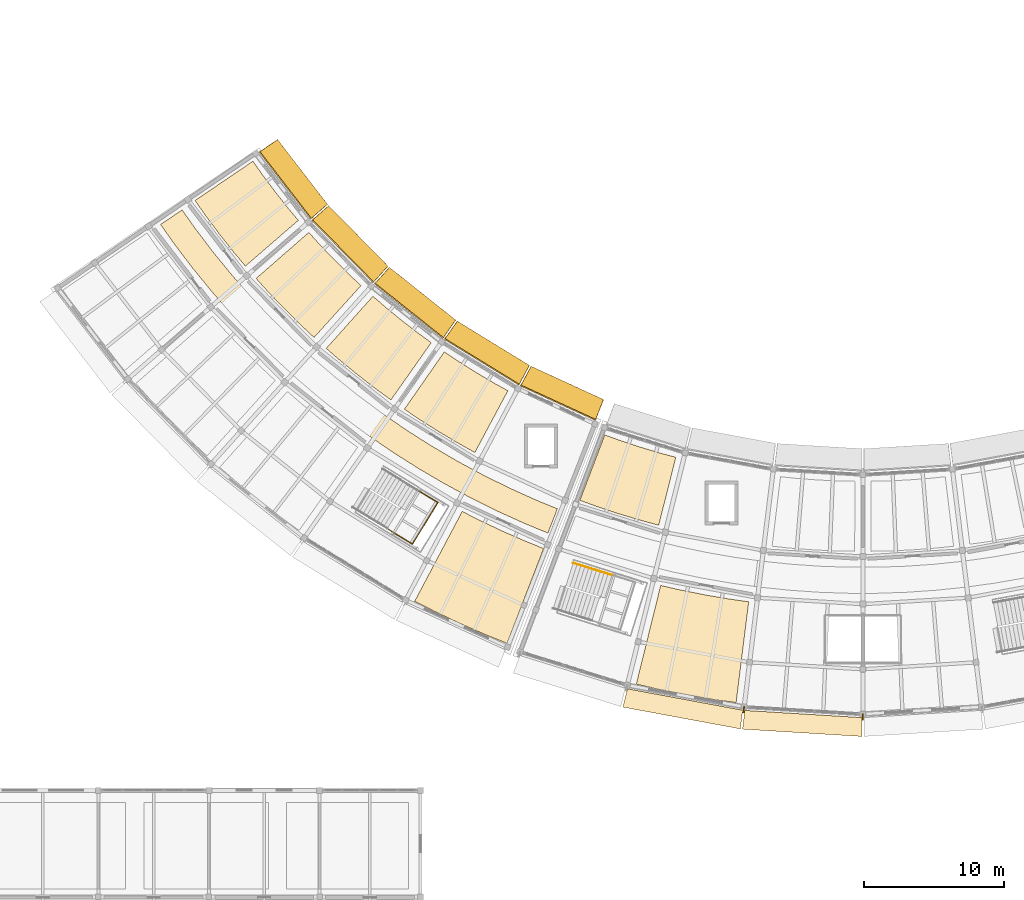
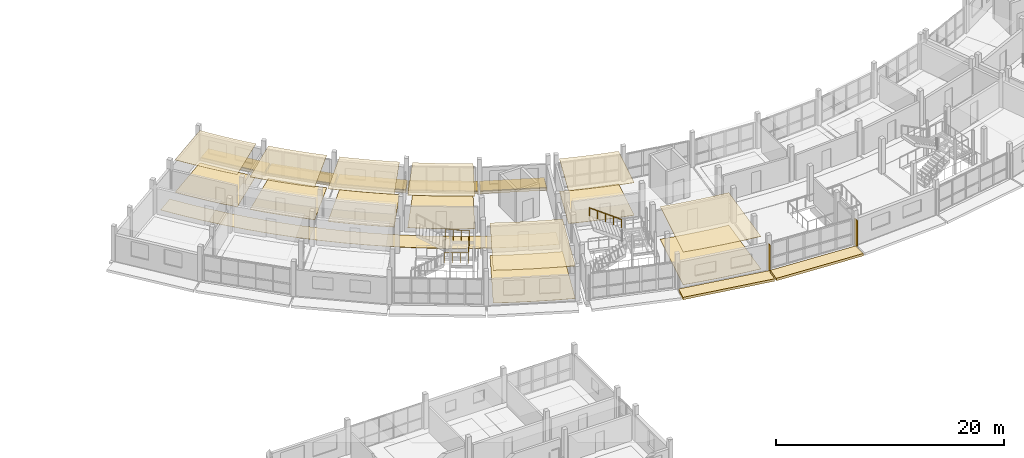
# One storey, part 69 of 77: 22 coverings, 7 shading devices, 2 railings.
"""IFC4 building model written with IfcOpenShell, lengths in metres."""

import ifcopenshell
import ifcopenshell.guid

model = None  # the IFC model being written
_history = None  # IfcOwnerHistory: only IFC2X3 demands one
_inside = {}  # id of a spatial element -> (the spatial element, [elements in it])
_under = {}  # id of a project, library or spatial element -> (it, [spatial elements below it])
_declared = {}  # id of a project -> (the project, [libraries it declares])
_typed = {}  # id of a type object -> (the type object, [elements of that type])
_made_of = {}  # id of a material, layer set ... -> (it, [elements and type objects made of it])


def new_model(schema):
    """Start an empty IFC model of exactly this schema.

    Asked for "IFC4X3", IfcOpenShell would pick the latest addendum, in which some entities
    have other attributes; the version numbers below select the first issue.
    IFC2X3 requires an IfcOwnerHistory on every rooted entity: one is made here for all.
    """
    global model, _history
    if schema == "IFC4X3":
        model = ifcopenshell.file(schema_version=(4, 3, 0, 0))
    else:
        model = ifcopenshell.file(schema=schema)
    _inside.clear()
    _under.clear()
    _declared.clear()
    _typed.clear()
    _made_of.clear()
    _history = None
    if model.schema == "IFC2X3":
        org = make("IfcOrganization", Name="unknown")
        user = make(
            "IfcPersonAndOrganization",
            ThePerson=make("IfcPerson", FamilyName="unknown"),
            TheOrganization=org,
        )
        app = make(
            "IfcApplication",
            ApplicationDeveloper=org,
            Version="unknown",
            ApplicationFullName="unknown",
            ApplicationIdentifier="unknown",
        )
        _history = make(
            "IfcOwnerHistory",
            OwningUser=user,
            OwningApplication=app,
            ChangeAction="ADDED",
            CreationDate=0,
        )
    return model


def make(cls, **values):
    """One entity of the class cls with the attributes given. An attribute that is None is left unset."""
    return model.create_entity(
        cls, **{name: value for name, value in values.items() if value is not None}
    )


def rooted(cls, **values):
    """An entity with a GlobalId (a new one), such as an element, a storey or a relation."""
    return make(cls, GlobalId=ifcopenshell.guid.new(), OwnerHistory=_history, **values)


def si_unit(unit_type, name, prefix=None):
    """IfcSIUnit, for example si_unit("LENGTHUNIT", "METRE", prefix="MILLI")."""
    return make("IfcSIUnit", UnitType=unit_type, Prefix=prefix, Name=name)


def assignment(units):
    """IfcUnitAssignment: the units of a project."""
    return None if units is None else make("IfcUnitAssignment", Units=units)


def point(xyz):
    """IfcCartesianPoint."""
    return None if xyz is None else make("IfcCartesianPoint", Coordinates=xyz)


def direction(xyz):
    """IfcDirection."""
    return None if xyz is None else make("IfcDirection", DirectionRatios=xyz)


def frame(location, z_axis=None, x_axis=None):
    """IfcAxis2Placement3D, a coordinate frame: its origin and axes. An axis left out is left unset."""
    return make(
        "IfcAxis2Placement3D",
        Location=point(location),
        Axis=direction(z_axis),
        RefDirection=direction(x_axis),
    )


def frame_2d(location, x_axis=None):
    """IfcAxis2Placement2D, a coordinate frame in the plane: its origin and x axis."""
    return make(
        "IfcAxis2Placement2D", Location=point(location), RefDirection=direction(x_axis)
    )


def origin():
    """The frame at (0, 0, 0) with its axes left unset."""
    return frame((0.0, 0.0, 0.0))


def origin_2d():
    """The frame at (0, 0) in the plane with its x axis left unset."""
    return frame_2d((0.0, 0.0))


def place(relative_to, where):
    """IfcLocalPlacement: puts the frame where relative to a parent placement (None: the world)."""
    return make(
        "IfcLocalPlacement", PlacementRelTo=relative_to, RelativePlacement=where
    )


def context(
    kind, dimensions, precision=None, world=None, true_north=None, identifier=None
):
    """IfcGeometricRepresentationContext, for example the 3D "Model" context."""
    return make(
        "IfcGeometricRepresentationContext",
        ContextIdentifier=identifier,
        ContextType=kind,
        CoordinateSpaceDimension=dimensions,
        Precision=precision,
        WorldCoordinateSystem=world,
        TrueNorth=true_north,
    )


def subcontext(parent, identifier, kind, view, scale=None):
    """IfcGeometricRepresentationSubContext, for example "Body" below "Model"."""
    return make(
        "IfcGeometricRepresentationSubContext",
        ContextIdentifier=identifier,
        ContextType=kind,
        ParentContext=parent,
        TargetScale=scale,
        TargetView=view,
    )


def project(units=None, contexts=None):
    """IfcProject with its units and contexts."""
    return rooted(
        "IfcProject",
        Name="project",
        RepresentationContexts=contexts,
        UnitsInContext=assignment(units),
    )


def spatial(cls, under=None, at=None, **own):
    """A site, building, storey or space (cls), placed at a placement, below another one or the project."""
    s = rooted(cls, ObjectPlacement=at, **own)
    if under is not None:
        _under.setdefault(under.id(), (under, []))[1].append(s)
    return s


def polyline(points):
    """IfcPolyline through the points."""
    return make("IfcPolyline", Points=[point(p) for p in points])


def profile(cls, at=None, kind="AREA", **sizes):
    """A parametric profile (cls). Its sizes go by their IFC names, for example OverallWidth=200.0."""
    return make(cls, ProfileType=kind, Position=at, **sizes)


def rectangle(**sizes):
    """IfcRectangleProfileDef."""
    return profile("IfcRectangleProfileDef", **sizes)


def circle(**sizes):
    """IfcCircleProfileDef."""
    return profile("IfcCircleProfileDef", **sizes)


def outline(outer, holes=None, kind="AREA"):
    """IfcArbitraryClosedProfileDef: a profile drawn as a closed curve; with holes, ...WithVoids."""
    if holes is None:
        return make("IfcArbitraryClosedProfileDef", ProfileType=kind, OuterCurve=outer)
    return make(
        "IfcArbitraryProfileDefWithVoids",
        ProfileType=kind,
        OuterCurve=outer,
        InnerCurves=holes,
    )


def extrude(swept, where, along, depth):
    """IfcExtrudedAreaSolid: the profile swept, set in the frame where, extruded along a direction by depth."""
    return make(
        "IfcExtrudedAreaSolid",
        SweptArea=swept,
        Position=where,
        ExtrudedDirection=direction(along),
        Depth=depth,
    )


def shape(context_of_items, identifier, shape_type, items):
    """IfcShapeRepresentation: the items that make up one representation, for example the "Body"."""
    return make(
        "IfcShapeRepresentation",
        ContextOfItems=context_of_items,
        RepresentationIdentifier=identifier,
        RepresentationType=shape_type,
        Items=items,
    )


def material(Name=None, Category=None):
    """IfcMaterial."""
    return make("IfcMaterial", Name=Name, Category=Category)


def layer(
    of_material, thickness, ventilated=None, Name=None, Category=None, Priority=None
):
    """IfcMaterialLayer: one layer of a wall or slab, of a material (None: an air gap)."""
    return make(
        "IfcMaterialLayer",
        Material=of_material,
        LayerThickness=thickness,
        IsVentilated=ventilated,
        Name=Name,
        Category=Category,
        Priority=Priority,
    )


def layer_set(layers, Name=None):
    """IfcMaterialLayerSet."""
    return make("IfcMaterialLayerSet", MaterialLayers=layers, LayerSetName=Name)


def made_of(thing, what):
    """Note that an element or type object is made of a material, layer set ...; save() writes the relation."""
    if what is not None:
        _made_of.setdefault(what.id(), (what, []))[1].append(thing)
    return thing


def type_object(cls, material=None, **own):
    """A type object (cls), such as IfcWallType, which elements share."""
    return made_of(rooted(cls, **own), material)


def element(
    cls,
    number,
    at=None,
    inside=None,
    cuts=None,
    type_object=None,
    material=None,
    context=None,
    identifier="Body",
    shape_type=None,
    held_by="IfcProductDefinitionShape",
    body=None,
    shapes=None,
    **own,
):
    """One element of the class cls, such as IfcWall. Its Tag is "e" and its number.

    at: its placement. inside: the storey or other place that contains it. cuts: it is an
    opening in that element (IfcRelVoidsElement). A single representation is given by context,
    identifier, shape_type and body (its items); several are given by shapes. held_by: the class
    of the entity that holds the representations. save() writes the other relations.
    """
    e = rooted(cls, Tag="e%d" % number, ObjectPlacement=at, **own)
    if body is not None:
        shapes = [shape(context, identifier, shape_type, body)]
    if shapes is not None:
        e.Representation = make(held_by, Representations=shapes)
    if inside is not None:
        _inside.setdefault(inside.id(), (inside, []))[1].append(e)
    if cuts is not None:
        rooted(
            "IfcRelVoidsElement", RelatingBuildingElement=cuts, RelatedOpeningElement=e
        )
    if type_object is not None:
        _typed.setdefault(type_object.id(), (type_object, []))[1].append(e)
    return made_of(e, material)


def aggregate(whole, parts):
    """IfcRelAggregates: a whole, such as a stair, and the parts it consists of."""
    return rooted("IfcRelAggregates", RelatingObject=whole, RelatedObjects=parts)


def save(model, path):
    """Write the relations noted so far, then the file.

    IfcRelAggregates (storeys below a building ...), IfcRelContainedInSpatialStructure (elements
    in a storey), IfcRelDefinesByType, IfcRelAssociatesMaterial and IfcRelDeclares: one each for
    every whole, place, type object, material and project.
    """
    for whole, parts in _under.values():
        aggregate(whole, parts)
    for where, things in _inside.values():
        rooted(
            "IfcRelContainedInSpatialStructure",
            RelatedElements=things,
            RelatingStructure=where,
        )
    for kind, things in _typed.values():
        rooted("IfcRelDefinesByType", RelatedObjects=things, RelatingType=kind)
    for what, things in _made_of.values():
        rooted("IfcRelAssociatesMaterial", RelatedObjects=things, RelatingMaterial=what)
    for by, libraries in _declared.values():
        rooted("IfcRelDeclares", RelatingContext=by, RelatedDefinitions=libraries)
    model.write(path)


model = new_model("IFC4")

# Units and contexts
model_context = context("Model", 3, precision=1e-05, world=origin(), true_north=direction((0.0, 1.0)))
body_context = subcontext(model_context, "Body", "Model", "MODEL_VIEW")
ifc_project = project(units=[si_unit("LENGTHUNIT", "METRE"), si_unit("AREAUNIT", "SQUARE_METRE"), si_unit("VOLUMEUNIT", "CUBIC_METRE"), si_unit("PLANEANGLEUNIT", "RADIAN"), si_unit("MASSUNIT", "GRAM", prefix="KILO")], contexts=[model_context])

# Site, building, storey
site_placement = place(None, origin())
site = spatial("IfcSite", under=ifc_project, at=site_placement, CompositionType="ELEMENT")
building_placement = place(site_placement, origin())
building = spatial("IfcBuilding", under=site, at=building_placement, Name="Caldaven Crescent School", CompositionType="ELEMENT")
storey_placement = place(building_placement, frame((0.0, 0.0, 4.419921875)))
storey = spatial("IfcBuildingStorey", under=building, at=storey_placement, Name="L01", CompositionType="ELEMENT", Elevation=4.419921875)

# Coverings
ifc_material_1 = material(Name="White architectural GFRC precast concrete C35/45 cladding", Category="concrete")
ifc_layer_1 = layer(ifc_material_1, 0.260009765625)
ifc_layer_set_1 = layer_set([ifc_layer_1], Name="White architectural GFRC precast concrete C35/45 cladding")
covering_type_1 = type_object("IfcCoveringType", Name="COV-CLD1", PredefinedType="CLADDING", material=ifc_layer_set_1)
covering_1_placement = place(storey_placement, frame((0.0, 0.0, -0.260009765625)))
element("IfcCovering", 1, at=covering_1_placement, inside=storey, type_object=covering_type_1, Name="CLD-OUT-L01-014", PredefinedType="CLADDING", context=body_context, shape_type="SweptSolid", body=[
    extrude(outline(polyline([(71.184814453125, 28.255615234375), (79.4208984375, 26.729248046875), (79.255126953125, 25.389404296875), (70.859619140625, 26.945556640625), (71.184814453125, 28.255615234375)])), origin(), (0.0, 0.0, 1.0), 0.260009765625),
])
covering_2_placement = place(storey_placement, frame((0.0, 0.0, -0.260009765625)))
element("IfcCovering", 2, at=covering_2_placement, inside=storey, type_object=covering_type_1, Name="CLD-OUT-L01-016", PredefinedType="CLADDING", context=body_context, shape_type="SweptSolid", body=[
    extrude(outline(polyline([(79.566162109375, 26.71142578125), (87.927001953125, 26.199951171875), (87.925537109375, 24.85009765625), (79.40283203125, 25.371337890625), (79.566162109375, 26.71142578125)])), origin(), (0.0, 0.0, 1.0), 0.260009765625),
])
ifc_layer_2 = layer(ifc_material_1, 0.260009765625)
ifc_layer_set_2 = layer_set([ifc_layer_2], Name="White architectural GFRC precast concrete C35/45 cladding")
covering_type_2 = type_object("IfcCoveringType", Name="COV-CLD2", PredefinedType="CLADDING", material=ifc_layer_set_2)
covering_3_placement = place(storey_placement, frame((0.0, 0.0, -0.260009765625)))
element("IfcCovering", 3, at=covering_3_placement, inside=storey, type_object=covering_type_2, Name="CLD-IN-L01-001", PredefinedType="CLADDING", context=body_context, shape_type="SweptSolid", body=[
    extrude(outline(polyline([(46.19677734375, 67.4892578125), (49.77685546875, 62.843505859375), (48.568359375, 61.794921875), (44.875, 66.587890625), (46.19677734375, 67.4892578125)])), origin(), (0.0, 0.0, 1.0), 0.260009765625),
])
covering_4_placement = place(storey_placement, frame((0.0, 0.0, -0.260009765625)))
element("IfcCovering", 4, at=covering_4_placement, inside=storey, type_object=covering_type_2, Name="CLD-IN-L01-003", PredefinedType="CLADDING", context=body_context, shape_type="SweptSolid", body=[
    extrude(outline(polyline([(49.846435546875, 62.763427734375), (54.1025390625, 58.432373046875), (53.03076171875, 57.244384765625), (48.64013671875, 61.71240234375), (49.846435546875, 62.763427734375)])), origin(), (0.0, 0.0, 1.0), 0.260009765625),
])
covering_5_placement = place(storey_placement, frame((0.0, 0.0, -0.260009765625)))
element("IfcCovering", 5, at=covering_5_placement, inside=storey, type_object=covering_type_2, Name="CLD-IN-L01-005", PredefinedType="CLADDING", context=body_context, shape_type="SweptSolid", body=[
    extrude(outline(polyline([(54.181396484375, 58.361328125), (58.93359375, 54.581298828125), (58.0146484375, 53.271728515625), (53.112060546875, 57.17138671875), (54.181396484375, 58.361328125)])), origin(), (0.0, 0.0, 1.0), 0.260009765625),
])
covering_6_placement = place(storey_placement, frame((0.0, 0.0, -0.260009765625)))
element("IfcCovering", 6, at=covering_6_placement, inside=storey, type_object=covering_type_2, Name="CLD-IN-L01-007", PredefinedType="CLADDING", context=body_context, shape_type="SweptSolid", body=[
    extrude(outline(polyline([(59.0205078125, 54.5205078125), (64.197998046875, 51.34765625), (63.4453125, 49.935791015625), (58.10400390625, 53.208984375), (59.0205078125, 54.5205078125)])), origin(), (0.0, 0.0, 1.0), 0.260009765625),
])
covering_7_placement = place(storey_placement, frame((0.0, 0.0, -0.260009765625)))
element("IfcCovering", 7, at=covering_7_placement, inside=storey, type_object=covering_type_2, Name="CLD-IN-L01-009", PredefinedType="CLADDING", context=body_context, shape_type="SweptSolid", body=[
    extrude(outline(polyline([(64.29150390625, 51.298095703125), (69.492431640625, 48.90625), (68.9072265625, 47.4169921875), (63.541748046875, 49.884521484375), (64.29150390625, 51.298095703125)])), origin(), (0.0, 0.0, 1.0), 0.260009765625),
])
ifc_material_2 = material(Name="Perforated Pino Radiata acoustic timber baffle ceiling", Category="wood")
ifc_layer_3 = layer(ifc_material_2, 0.030029296875)
ifc_layer_set_3 = layer_set([ifc_layer_3], Name="Perforated Pino Radiata acoustic timber baffle ceiling")
covering_type_3 = type_object("IfcCoveringType", Name="COV-CLG1", PredefinedType="CEILING", material=ifc_layer_set_3)
covering_8_placement = place(storey_placement, frame((0.0, 0.0, 3.4599609375)))
element("IfcCovering", 8, at=covering_8_placement, inside=storey, type_object=covering_type_3, Name="CLG-L01-116", PredefinedType="CEILING", context=body_context, shape_type="SweptSolid", body=[
    extrude(outline(polyline([(45.0751953125, 65.03173828125), (45.082763671875, 65.02099609375), (46.00390625, 63.783447265625), (46.011962890625, 63.77294921875), (46.968994140625, 62.56298828125), (46.977294921875, 62.552978515625), (47.68408203125, 61.711181640625), (43.9033203125, 58.439697265625), (43.097412109375, 59.39892578125), (42.041015625, 60.734619140625), (41.0244140625, 62.1005859375), (40.306396484375, 63.127197265625), (44.445068359375, 65.9326171875), (45.0751953125, 65.03173828125)])), origin(), (0.0, 0.0, 1.0), 0.030029296875),
])
covering_9_placement = place(storey_placement, frame((0.0, 0.0, 3.489990234375)))
element("IfcCovering", 9, at=covering_9_placement, inside=storey, type_object=covering_type_3, Name="CLG-L01-120", PredefinedType="CEILING", context=body_context, shape_type="SweptSolid", body=[
    extrude(outline(polyline([(53.842041015625, 55.567138671875), (53.85205078125, 55.55859375), (55.045166015625, 54.580810546875), (55.055419921875, 54.572509765625), (56.27685546875, 53.6298828125), (56.287353515625, 53.6220703125), (57.177001953125, 52.976318359375), (54.2998046875, 48.88720703125), (53.285888671875, 49.623291015625), (51.937744140625, 50.66357421875), (50.620849609375, 51.742919921875), (49.67578125, 52.5654296875), (53.0126953125, 56.288818359375), (53.842041015625, 55.567138671875)])), origin(), (0.0, 0.0, 1.0), 0.030029296875),
])
ifc_layer_4 = layer(ifc_material_2, 0.0380859375)
ifc_layer_set_4 = layer_set([ifc_layer_4], Name="Perforated Pino Radiata acoustic timber baffle ceiling")
covering_type_4 = type_object("IfcCoveringType", Name="COV-CLG2", PredefinedType="CEILING", material=ifc_layer_set_4)
covering_10_placement = place(storey_placement, frame((0.0, 0.0, 3.482177734375)))
element("IfcCovering", 10, at=covering_10_placement, inside=storey, type_object=covering_type_4, Name="CLG-L01-125", PredefinedType="CEILING", context=body_context, shape_type="SweptSolid", body=[
    extrude(outline(polyline([(70.6005859375, 46.01171875), (70.613037109375, 46.00732421875), (72.077392578125, 45.521728515625), (72.090087890625, 45.517822265625), (73.56787109375, 45.07568359375), (73.58056640625, 45.072021484375), (74.642333984375, 44.7880859375), (73.421630859375, 39.939453125), (72.21142578125, 40.26318359375), (70.580078125, 40.751220703125), (68.9638671875, 41.287109375), (67.78662109375, 41.716064453125), (69.56787109375, 46.38818359375), (70.6005859375, 46.01171875)])), origin(), (0.0, 0.0, 1.0), 0.037841796875),
])
ifc_layer_5 = layer(ifc_material_2, 0.0458984375)
ifc_layer_set_5 = layer_set([ifc_layer_5], Name="Perforated Pino Radiata acoustic timber baffle ceiling")
covering_type_5 = type_object("IfcCoveringType", Name="COV-CLG3", PredefinedType="CEILING", material=ifc_layer_set_5)
covering_11_placement = place(storey_placement, frame((0.0, 0.0, 3.47412109375)))
element("IfcCovering", 11, at=covering_11_placement, inside=storey, type_object=covering_type_5, Name="CLG-L01-118", PredefinedType="CEILING", context=body_context, shape_type="SweptSolid", body=[
    extrude(outline(polyline([(49.169189453125, 60.03125), (49.177978515625, 60.021484375), (50.242919921875, 58.905517578125), (50.252197265625, 58.896240234375), (51.349609375, 57.81201171875), (51.359130859375, 57.802734375), (52.163330078125, 57.053466796875), (48.809326171875, 53.345458984375), (47.892578125, 54.199462890625), (46.681396484375, 55.396240234375), (45.505859375, 56.62841796875), (44.668212890625, 57.559814453125), (48.43408203125, 60.8486328125), (49.169189453125, 60.03125)])), origin(), (0.0, 0.0, 1.0), 0.0458984375),
])
covering_12_placement = place(storey_placement, frame((0.0, 0.0, 3.47412109375)))
element("IfcCovering", 12, at=covering_12_placement, inside=storey, type_object=covering_type_5, Name="CLG-L01-122", PredefinedType="CEILING", context=body_context, shape_type="SweptSolid", body=[
    extrude(outline(polyline([(59.024169921875, 51.705810546875), (59.035400390625, 51.698486328125), (60.338623046875, 50.873291015625), (60.349853515625, 50.8662109375), (61.6767578125, 50.07958984375), (61.688232421875, 50.072998046875), (62.64990234375, 49.540771484375), (60.29248046875, 45.131591796875), (59.196533203125, 45.73828125), (57.731689453125, 46.606689453125), (56.29296875, 47.517578125), (55.2548828125, 48.218505859375), (58.11328125, 52.32080078125), (59.024169921875, 51.705810546875)])), origin(), (0.0, 0.0, 1.0), 0.0458984375),
])
covering_13_placement = place(storey_placement, frame((0.0, 0.0, 3.47412109375)))
element("IfcCovering", 13, at=covering_13_placement, inside=storey, type_object=covering_type_5, Name="CLG-L01-126", PredefinedType="CEILING", context=body_context, shape_type="SweptSolid", body=[
    extrude(outline(polyline([(74.893310546875, 35.32958984375), (74.90625, 35.326904296875), (76.68212890625, 34.970703125), (76.695068359375, 34.96826171875), (78.480712890625, 34.664306640625), (78.493896484375, 34.662353515625), (79.848388671875, 34.47265625), (78.947265625, 27.268798828125), (77.374755859375, 27.489013671875), (75.365478515625, 27.8310546875), (73.367431640625, 28.231689453125), (71.8203125, 28.589599609375), (73.560546875, 35.637939453125), (74.893310546875, 35.32958984375)])), origin(), (0.0, 0.0, 1.0), 0.0458984375),
])
ifc_layer_6 = layer(ifc_material_2, 0.053955078125)
ifc_layer_set_6 = layer_set([ifc_layer_6], Name="Perforated Pino Radiata acoustic timber baffle ceiling")
covering_type_6 = type_object("IfcCoveringType", Name="COV-CLG4", PredefinedType="CEILING", material=ifc_layer_set_6)
covering_14_placement = place(storey_placement, frame((0.0, 0.0, 3.466064453125)))
element("IfcCovering", 14, at=covering_14_placement, inside=storey, type_object=covering_type_6, Name="CLG-L01-123", PredefinedType="CEILING", context=body_context, shape_type="SweptSolid", body=[
    extrude(outline(polyline([(60.60498046875, 40.302490234375), (60.616943359375, 40.296875), (62.25390625, 39.521484375), (62.26611328125, 39.51611328125), (63.925048828125, 38.789306640625), (63.937255859375, 38.7841796875), (65.205810546875, 38.272216796875), (62.58837890625, 31.50048828125), (61.115966796875, 32.094482421875), (59.249267578125, 32.912353515625), (57.407470703125, 33.78466796875), (55.9931640625, 34.506103515625), (59.38671875, 40.92431640625), (60.60498046875, 40.302490234375)])), origin(), (0.0, 0.0, 1.0), 0.053955078125),
])
ifc_material_3 = material(Name="Polished terrazzo and acoustic linoleum flooring")
ifc_layer_7 = layer(ifc_material_3, 0.02001953125)
ifc_layer_set_7 = layer_set([ifc_layer_7], Name="Polished terrazzo and acoustic linoleum flooring")
covering_type_7 = type_object("IfcCoveringType", Name="COV-FLR1", PredefinedType="FLOORING", material=ifc_layer_set_7)
covering_15_placement = place(storey_placement, origin())
element("IfcCovering", 15, at=covering_15_placement, inside=storey, type_object=covering_type_7, Name="FLR-L01-120", PredefinedType="FLOORING", context=body_context, shape_type="SweptSolid", body=[
    extrude(outline(polyline([(53.0126953125, 56.288818359375), (53.842041015625, 55.567138671875), (53.85205078125, 55.55859375), (55.045166015625, 54.580810546875), (55.055419921875, 54.572509765625), (56.27685546875, 53.6298828125), (56.287353515625, 53.6220703125), (57.177001953125, 52.976318359375), (54.2998046875, 48.88720703125), (53.285888671875, 49.623291015625), (51.937744140625, 50.66357421875), (50.620849609375, 51.742919921875), (49.67578125, 52.5654296875), (53.0126953125, 56.288818359375)])), origin(), (0.0, 0.0, 1.0), 0.02001953125),
])
covering_16_placement = place(storey_placement, origin())
element("IfcCovering", 16, at=covering_16_placement, inside=storey, type_object=covering_type_7, Name="FLR-L01-123", PredefinedType="FLOORING", context=body_context, shape_type="SweptSolid", body=[
    extrude(outline(polyline([(59.38671875, 40.92431640625), (60.60498046875, 40.302490234375), (60.616943359375, 40.296875), (62.25390625, 39.521484375), (62.26611328125, 39.51611328125), (63.925048828125, 38.789306640625), (63.937255859375, 38.7841796875), (65.205810546875, 38.272216796875), (62.58837890625, 31.50048828125), (61.115966796875, 32.094482421875), (59.249267578125, 32.912353515625), (57.407470703125, 33.78466796875), (55.9931640625, 34.506103515625), (59.38671875, 40.92431640625)])), origin(), (0.0, 0.0, 1.0), 0.02001953125),
])
covering_17_placement = place(storey_placement, origin())
element("IfcCovering", 17, at=covering_17_placement, inside=storey, type_object=covering_type_7, Name="FLR-L01-126", PredefinedType="FLOORING", context=body_context, shape_type="SweptSolid", body=[
    extrude(outline(polyline([(73.560546875, 35.637939453125), (74.893310546875, 35.32958984375), (74.90625, 35.326904296875), (76.68212890625, 34.970703125), (76.695068359375, 34.96826171875), (78.480712890625, 34.664306640625), (78.493896484375, 34.662353515625), (79.848388671875, 34.47265625), (78.947265625, 27.268798828125), (77.374755859375, 27.489013671875), (75.365478515625, 27.8310546875), (73.367431640625, 28.231689453125), (71.8203125, 28.589599609375), (73.560546875, 35.637939453125)])), origin(), (0.0, 0.0, 1.0), 0.02001953125),
])
ifc_layer_8 = layer(ifc_material_3, 0.02587890625)
ifc_layer_set_8 = layer_set([ifc_layer_8], Name="Polished terrazzo and acoustic linoleum flooring")
covering_type_8 = type_object("IfcCoveringType", Name="COV-FLR2", PredefinedType="FLOORING", material=ifc_layer_set_8)
covering_18_placement = place(storey_placement, origin())
element("IfcCovering", 18, at=covering_18_placement, inside=storey, type_object=covering_type_8, Name="FLR-L01-115", PredefinedType="FLOORING", context=body_context, shape_type="SweptSolid", body=[
    extrude(outline(polyline([(39.3857421875, 62.456298828125), (40.33056640625, 61.1162109375), (40.340087890625, 61.103271484375), (41.59912109375, 59.445556640625), (41.609130859375, 59.43310546875), (42.926513671875, 57.821044921875), (42.936767578125, 57.808837890625), (44.310302734375, 56.244873046875), (44.321044921875, 56.23291015625), (45.74951171875, 54.718505859375), (45.760498046875, 54.707275390625), (47.241943359375, 53.244384765625), (47.25341796875, 53.2333984375), (48.78564453125, 51.82421875), (48.797607421875, 51.813720703125), (50.37890625, 50.459716796875), (50.39111328125, 50.44970703125), (52.01953125, 49.152587890625), (52.0322265625, 49.14306640625), (53.70556640625, 47.90478515625), (53.718505859375, 47.8955078125), (55.434814453125, 46.71728515625), (55.4482421875, 46.70849609375), (57.205322265625, 45.59228515625), (57.218994140625, 45.583984375), (59.014404296875, 44.530517578125), (59.028564453125, 44.522705078125), (60.8603515625, 43.533935546875), (60.87451171875, 43.526611328125), (62.740234375, 42.603515625), (62.7548828125, 42.596435546875), (64.652099609375, 41.739990234375), (64.6669921875, 41.73388671875), (66.184326171875, 41.11279296875), (65.510498046875, 39.37939453125), (63.924560546875, 40.0283203125), (61.952392578125, 40.91845703125), (60.012939453125, 41.878173828125), (58.10888671875, 42.906005859375), (56.24267578125, 44.000732421875), (54.41650390625, 45.160888671875), (52.63232421875, 46.385498046875), (50.893310546875, 47.672607421875), (49.20068359375, 49.0205078125), (47.556884765625, 50.427734375), (45.96435546875, 51.892578125), (44.4248046875, 53.412841796875), (42.940185546875, 54.987060546875), (41.512451171875, 56.61279296875), (40.143310546875, 58.2880859375), (38.83447265625, 60.010986328125), (37.846923828125, 61.41162109375), (39.3857421875, 62.456298828125)])), origin(), (0.0, 0.0, 1.0), 0.026123046875),
])
covering_19_placement = place(storey_placement, origin())
element("IfcCovering", 19, at=covering_19_placement, inside=storey, type_object=covering_type_8, Name="FLR-L01-118", PredefinedType="FLOORING", context=body_context, shape_type="SweptSolid", body=[
    extrude(outline(polyline([(48.43408203125, 60.8486328125), (49.169189453125, 60.03125), (49.177978515625, 60.021484375), (50.242919921875, 58.905517578125), (50.252197265625, 58.896240234375), (51.349609375, 57.81201171875), (51.359130859375, 57.802734375), (52.163330078125, 57.053466796875), (48.809326171875, 53.345458984375), (47.892578125, 54.199462890625), (46.681396484375, 55.396240234375), (45.505859375, 56.62841796875), (44.668212890625, 57.559814453125), (48.43408203125, 60.8486328125)])), origin(), (0.0, 0.0, 1.0), 0.026123046875),
])
ifc_layer_9 = layer(ifc_material_3, 0.031982421875)
ifc_layer_set_9 = layer_set([ifc_layer_9], Name="Polished terrazzo and acoustic linoleum flooring")
covering_type_9 = type_object("IfcCoveringType", Name="COV-FLR3", PredefinedType="FLOORING", material=ifc_layer_set_9)
covering_20_placement = place(storey_placement, origin())
element("IfcCovering", 20, at=covering_20_placement, inside=storey, type_object=covering_type_9, Name="FLR-L01-116", PredefinedType="FLOORING", context=body_context, shape_type="SweptSolid", body=[
    extrude(outline(polyline([(44.445068359375, 65.9326171875), (45.0751953125, 65.03173828125), (45.082763671875, 65.02099609375), (46.00390625, 63.783447265625), (46.011962890625, 63.77294921875), (46.968994140625, 62.56298828125), (46.977294921875, 62.552978515625), (47.68408203125, 61.711181640625), (43.9033203125, 58.439697265625), (43.097412109375, 59.39892578125), (42.041015625, 60.734619140625), (41.0244140625, 62.1005859375), (40.306396484375, 63.127197265625), (44.445068359375, 65.9326171875)])), origin(), (0.0, 0.0, 1.0), 0.031982421875),
])
covering_21_placement = place(storey_placement, origin())
element("IfcCovering", 21, at=covering_21_placement, inside=storey, type_object=covering_type_9, Name="FLR-L01-122", PredefinedType="FLOORING", context=body_context, shape_type="SweptSolid", body=[
    extrude(outline(polyline([(58.11328125, 52.32080078125), (59.024169921875, 51.705810546875), (59.035400390625, 51.698486328125), (60.338623046875, 50.873291015625), (60.349853515625, 50.8662109375), (61.6767578125, 50.07958984375), (61.688232421875, 50.072998046875), (62.64990234375, 49.540771484375), (60.29248046875, 45.131591796875), (59.196533203125, 45.73828125), (57.731689453125, 46.606689453125), (56.29296875, 47.517578125), (55.2548828125, 48.218505859375), (58.11328125, 52.32080078125)])), origin(), (0.0, 0.0, 1.0), 0.031982421875),
])
covering_22_placement = place(storey_placement, origin())
element("IfcCovering", 22, at=covering_22_placement, inside=storey, type_object=covering_type_9, Name="FLR-L01-125", PredefinedType="FLOORING", context=body_context, shape_type="SweptSolid", body=[
    extrude(outline(polyline([(69.56787109375, 46.38818359375), (70.6005859375, 46.01171875), (70.613037109375, 46.00732421875), (72.077392578125, 45.521728515625), (72.090087890625, 45.517822265625), (73.56787109375, 45.07568359375), (73.58056640625, 45.072021484375), (74.642333984375, 44.7880859375), (73.421630859375, 39.939453125), (72.21142578125, 40.26318359375), (70.580078125, 40.751220703125), (68.9638671875, 41.287109375), (67.78662109375, 41.716064453125), (69.56787109375, 46.38818359375)])), origin(), (0.0, 0.0, 1.0), 0.031982421875),
])

# Railings
ifc_material_4 = material(Name="Brushed stainless-steel continuous tubular handrail", Category="steel")
railing_type_1 = type_object("IfcRailingType", Name="RAL-HR1", PredefinedType="HANDRAIL", material=ifc_material_4)
railing_1_placement = place(storey_placement, frame((70.08056640625, 36.373779296875, 2.04296875)))
element("IfcRailing", 23, at=railing_1_placement, inside=storey, type_object=railing_type_1, Name="HR-ST2-L01-F2", PredefinedType="HANDRAIL", context=body_context, shape_type="SweptSolid", body=[
    extrude(circle(Radius=0.02392578125, at=origin_2d()), frame((0.0, 0.0, 0.85595703125), z_axis=(-0.822729192754, 0.2594269665, 0.505780905574), x_axis=(-0.300728414298, -0.953709820036, 0.0)), (0.0, 0.0, 1.0), 3.361572265625),
    extrude(circle(Radius=0.02099609375, at=origin_2d()), origin(), (0.0, 0.0, 1.0), 0.831787109375),
    extrude(circle(Radius=0.02099609375, at=origin_2d()), frame((-0.69140625, 0.218017578125, 0.425048828125)), (0.0, 0.0, 1.0), 0.831787109375),
    extrude(circle(Radius=0.02099609375, at=origin_2d()), frame((-1.3828125, 0.43603515625, 0.85009765625)), (0.0, 0.0, 1.0), 0.831787109375),
    extrude(circle(Radius=0.02099609375, at=origin_2d()), frame((-2.07421875, 0.654052734375, 1.275146484375)), (0.0, 0.0, 1.0), 0.831787109375),
    extrude(circle(Radius=0.02099609375, at=origin_2d()), frame((-2.765625, 0.8720703125, 1.7001953125)), (0.0, 0.0, 1.0), 0.831787109375),
])
ifc_material_5 = material(Name="Powder-coated tubular steel balustrade ASTM A572 Grade 50", Category="steel")
railing_type_2 = type_object("IfcRailingType", Name="RAL-INT2", PredefinedType="BALUSTRADE", material=ifc_material_5)
railing_2_placement = place(storey_placement, frame((54.03271484375, 39.68994140625, 1.8701171875)))
element("IfcRailing", 24, at=railing_2_placement, inside=storey, type_object=railing_type_2, Name="GD-LND-ST1-L01", PredefinedType="BALUSTRADE", context=body_context, shape_type="SweptSolid", body=[
    extrude(circle(Radius=0.02392578125, at=origin_2d()), frame((0.0, 0.0, 1.09619140625), z_axis=(0.852677742379, -0.522437238003, 0.0), x_axis=(0.522437238003, 0.852677742379, 0.0)), (0.0, 0.0, 1.0), 2.10986328125),
    extrude(circle(Radius=0.02392578125, at=origin_2d()), frame((1.799072265625, -1.102294921875, 1.09619140625), z_axis=(0.522530799947, 0.852620409741, 0.0), x_axis=(-0.852620409741, 0.522530799947, 0.0)), (0.0, 0.0, 1.0), 3.47998046875),
    extrude(circle(Radius=0.02392578125, at=origin_2d()), frame((3.617431640625, 1.86474609375, 1.09619140625), z_axis=(-0.852626195292, 0.52252135947, 0.0), x_axis=(-0.52252135947, -0.852626195292, 0.0)), (0.0, 0.0, 1.0), 2.110107421875),
    extrude(circle(Radius=0.02099609375, at=origin_2d()), origin(), (0.0, 0.0, 1.0), 1.072021484375),
    extrude(circle(Radius=0.02099609375, at=origin_2d()), frame((0.599609375, -0.367431640625, 0.0)), (0.0, 0.0, 1.0), 1.072021484375),
    extrude(circle(Radius=0.02099609375, at=origin_2d()), frame((1.199462890625, -0.73486328125, 0.0)), (0.0, 0.0, 1.0), 1.072021484375),
    extrude(circle(Radius=0.02099609375, at=origin_2d()), frame((1.799072265625, -1.102294921875, 0.0)), (0.0, 0.0, 1.0), 1.072021484375),
    extrude(circle(Radius=0.02099609375, at=origin_2d()), frame((2.253662109375, -0.360595703125, 0.0)), (0.0, 0.0, 1.0), 1.072021484375),
    extrude(circle(Radius=0.02099609375, at=origin_2d()), frame((2.708251953125, 0.38134765625, 0.0)), (0.0, 0.0, 1.0), 1.072021484375),
    extrude(circle(Radius=0.02099609375, at=origin_2d()), frame((3.162841796875, 1.123046875, 0.0)), (0.0, 0.0, 1.0), 1.072021484375),
    extrude(circle(Radius=0.02099609375, at=origin_2d()), frame((3.617431640625, 1.86474609375, 0.0)), (0.0, 0.0, 1.0), 1.072021484375),
    extrude(circle(Radius=0.02099609375, at=origin_2d()), frame((3.017822265625, 2.232177734375, 0.0)), (0.0, 0.0, 1.0), 1.072021484375),
    extrude(circle(Radius=0.02099609375, at=origin_2d()), frame((2.41796875, 2.599853515625, 0.0)), (0.0, 0.0, 1.0), 1.072021484375),
    extrude(circle(Radius=0.02099609375, at=origin_2d()), frame((1.818359375, 2.96728515625, 0.0)), (0.0, 0.0, 1.0), 1.072021484375),
])

# Shading devices
ifc_material_6 = material(Name="Precast concrete C35/45", Category="concrete")
ifc_layer_10 = layer(ifc_material_6, 0.1298828125)
ifc_layer_set_10 = layer_set([ifc_layer_10], Name="Precast concrete C35/45")
shading_device_type_1 = type_object("IfcShadingDeviceType", Name="SHD-S02", PredefinedType="AWNING", material=ifc_layer_set_10)
shading_device_1_placement = place(storey_placement, frame((0.0, 0.0, -0.1298828125)))
element("IfcShadingDevice", 25, at=shading_device_1_placement, inside=storey, type_object=shading_device_type_1, Name="SHD-LDG-L01-001", PredefinedType="AWNING", context=body_context, shape_type="SweptSolid", body=[
    extrude(outline(polyline([(46.206787109375, 67.474853515625), (49.765380859375, 62.856689453125), (48.616943359375, 61.861083984375), (44.951416015625, 66.617919921875), (46.206787109375, 67.474853515625)])), origin(), (0.0, 0.0, 1.0), 0.1298828125),
])
shading_device_2_placement = place(storey_placement, frame((0.0, 0.0, -0.1298828125)))
element("IfcShadingDevice", 26, at=shading_device_2_placement, inside=storey, type_object=shading_device_type_1, Name="SHD-LDG-L01-002", PredefinedType="AWNING", context=body_context, shape_type="SweptSolid", body=[
    extrude(outline(polyline([(49.858154296875, 62.750244140625), (54.089599609375, 58.444091796875), (53.07080078125, 57.31591796875), (48.71240234375, 61.751220703125), (49.858154296875, 62.750244140625)])), origin(), (0.0, 0.0, 1.0), 0.1298828125),
])
shading_device_3_placement = place(storey_placement, frame((0.0, 0.0, -0.1298828125)))
element("IfcShadingDevice", 27, at=shading_device_3_placement, inside=storey, type_object=shading_device_type_1, Name="SHD-LDG-L01-003", PredefinedType="AWNING", context=body_context, shape_type="SweptSolid", body=[
    extrude(outline(polyline([(54.194580078125, 58.349609375), (58.919189453125, 54.591552734375), (58.045654296875, 53.34765625), (53.178955078125, 57.21875), (54.194580078125, 58.349609375)])), origin(), (0.0, 0.0, 1.0), 0.1298828125),
])
shading_device_4_placement = place(storey_placement, frame((0.0, 0.0, -0.1298828125)))
element("IfcShadingDevice", 28, at=shading_device_4_placement, inside=storey, type_object=shading_device_type_1, Name="SHD-LDG-L01-004", PredefinedType="AWNING", context=body_context, shape_type="SweptSolid", body=[
    extrude(outline(polyline([(59.034912109375, 54.510498046875), (64.182373046875, 51.35595703125), (63.466796875, 50.014892578125), (58.164794921875, 53.26416015625), (59.034912109375, 54.510498046875)])), origin(), (0.0, 0.0, 1.0), 0.1298828125),
])
shading_device_5_placement = place(storey_placement, frame((0.0, 0.0, -0.1298828125)))
element("IfcShadingDevice", 29, at=shading_device_5_placement, inside=storey, type_object=shading_device_type_1, Name="SHD-LDG-L01-005", PredefinedType="AWNING", context=body_context, shape_type="SweptSolid", body=[
    extrude(outline(polyline([(64.30712890625, 51.289794921875), (69.47607421875, 48.91259765625), (68.91943359375, 47.498046875), (63.595458984375, 49.946533203125), (64.30712890625, 51.289794921875)])), origin(), (0.0, 0.0, 1.0), 0.1298828125),
])
ifc_material_7 = material(Name="Bronze-anodised aluminium AA 6063-T6 sunshade", Category="aluminium")
ifc_layer_11 = layer(ifc_material_7, 0.080078125)
ifc_layer_set_11 = layer_set([ifc_layer_11], Name="Bronze-anodised aluminium AA 6063-T6 sunshade")
shading_device_type_2 = type_object("IfcShadingDeviceType", Name="SHD-S04", PredefinedType="JALOUSIE", material=ifc_layer_set_11)
for number, where, z_axis, x_axis, name in (
    (30, (79.49951171875, 26.77001953125, 0.0), (0.0, 0.0, 1.0), (-0.121869343405, -0.992546151641, 0.0), "SHD-FIN-L01-011"),
    (31, (88.0, 26.25, 0.0), (0.0, 0.0, 1.0), (0.0, -1.0, 0.0), "SHD-FIN-L01-013"),
):
    element("IfcShadingDevice", number, at=place(storey_placement, frame(where, z_axis=z_axis, x_axis=x_axis)), inside=storey, type_object=shading_device_type_2, Name=name, PredefinedType="JALOUSIE", context=body_context, shape_type="SweptSolid", body=[
        extrude(rectangle(XDim=0.449951171875, YDim=0.080078125, at=origin_2d()), origin(), (0.0, 0.0, 1.0), 2.780029296875),
    ])

save(model, "model.ifc")
